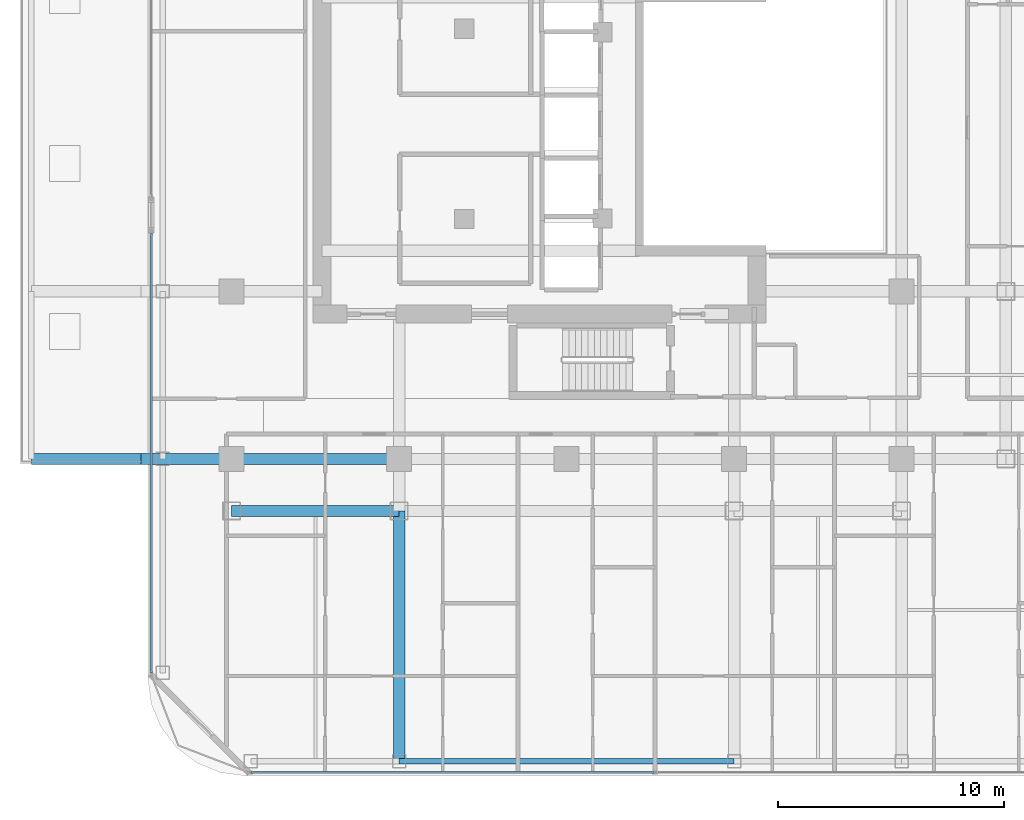
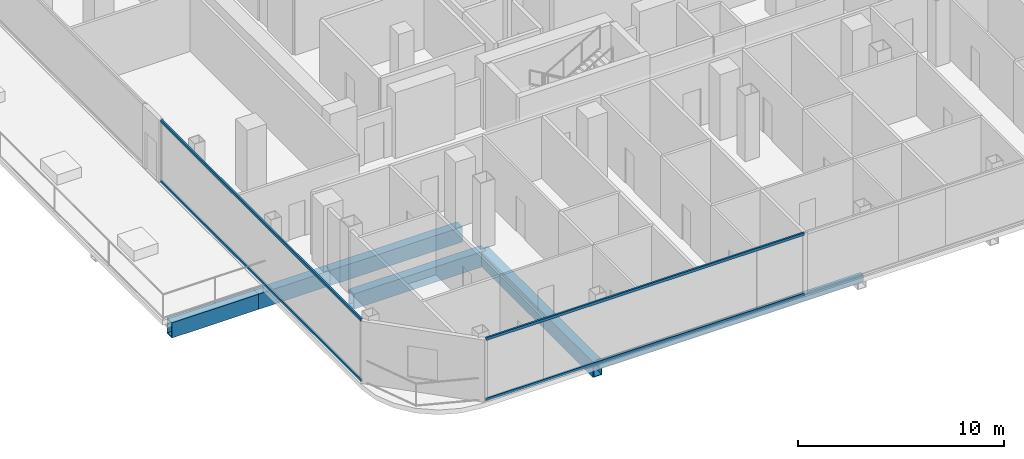
# One storey, part 3 of 26: 6 beams, 4 members, 2 elements without a shape of their own.
"""IFC4 building model written with IfcOpenShell, lengths in metres."""

from ifc_helpers import new_model, si_unit, direction, frame, origin, origin_2d, place, context, subcontext, project, spatial, hollow_rectangle, extrude, material, layer, layer_set, material_profile, profile_set, type_object, element, aggregate, save


model = new_model("IFC4")

# Units and contexts
model_context = context("Model", 3, precision=1e-05, world=origin(), true_north=direction((0.0, 1.0)))
body_context = subcontext(model_context, "Body", "Model", "MODEL_VIEW")
ifc_project = project(units=[si_unit("LENGTHUNIT", "METRE"), si_unit("AREAUNIT", "SQUARE_METRE"), si_unit("VOLUMEUNIT", "CUBIC_METRE"), si_unit("PLANEANGLEUNIT", "RADIAN"), si_unit("MASSUNIT", "GRAM", prefix="KILO")], contexts=[model_context])

# Site, building, storey
site_placement = place(None, origin())
site = spatial("IfcSite", under=ifc_project, at=site_placement, CompositionType="ELEMENT")
building_placement = place(site_placement, origin())
building = spatial("IfcBuilding", under=site, at=building_placement, Name="Khorvyn Point Tower", CompositionType="ELEMENT")
storey_placement = place(building_placement, frame((0.0, 0.0, 219.60009765625)))
storey = spatial("IfcBuildingStorey", under=building, at=storey_placement, Name="L54", CompositionType="ELEMENT", Elevation=219.60009765625)

# Curtain wall, members
ifc_material_1 = material(Name="Anodised aluminium 6063-T6 and laminated Low-E glass", Category="aluminium")
ifc_layer = layer(ifc_material_1, 0.18994140625)
ifc_layer_set = layer_set([ifc_layer], Name="Stick-Built Acoustic Curtain Wall CW-SYS-03")
curtain_wall_type = type_object("IfcCurtainWallType", Name="Stick-Built Acoustic Curtain Wall CW-SYS-03", PredefinedType="NOTDEFINED", material=ifc_layer_set)
curtain_wall_1_placement = place(storey_placement, origin())
curtain_wall_1 = element("IfcCurtainWall", 1, at=curtain_wall_1_placement, inside=storey, type_object=curtain_wall_type, Name="Curtain Wall", PredefinedType="NOTDEFINED")
ifc_material_2 = material(Name="Anodised aluminium 6063-T6", Category="aluminium")
ifc_material_profile_1 = material_profile(ifc_material_2, hollow_rectangle(XDim=0.10009765625, YDim=0.159912109375, WallThickness=0.00439453125, at=origin_2d()))
ifc_profile_set_1 = profile_set([ifc_material_profile_1], Name="Anodised aluminium 6063-T6 ALU-TRN-100x160")
member_type = type_object("IfcMemberType", Name="Anodised Aluminium 6063-T6 Transom ALU-TRN-100x160", PredefinedType="USERDEFINED", material=ifc_profile_set_1)
member_1_placement = place(storey_placement, frame((3.85009765625, -28.64990234375, 0.0498046875), z_axis=(-1.0, 0.0, 0.0), x_axis=(0.0, -1.0, 0.0)))
member_1 = element("IfcMember", 2, at=member_1_placement, type_object=member_type, Name="Transom", ObjectType="TRANSOM", PredefinedType="USERDEFINED", context=body_context, shape_type="SweptSolid", body=[
    extrude(hollow_rectangle(XDim=0.10009765625, YDim=0.159912109375, WallThickness=0.00439453125, at=origin_2d()), origin(), (0.0, 0.0, 1.0), 17.800048828125),
])
member_2_placement = place(storey_placement, frame((3.85009765625, -28.64990234375, 3.6298828125), z_axis=(-1.0, 0.0, 0.0), x_axis=(0.0, -1.0, 0.0)))
member_2 = element("IfcMember", 3, at=member_2_placement, type_object=member_type, Name="Transom", ObjectType="TRANSOM", PredefinedType="USERDEFINED", context=body_context, shape_type="SweptSolid", body=[
    extrude(hollow_rectangle(XDim=0.10009765625, YDim=0.159912109375, WallThickness=0.00439453125, at=origin_2d()), origin(), (0.0, 0.0, 1.0), 17.800048828125),
])
aggregate(curtain_wall_1, [member_1, member_2])

curtain_wall_2_placement = place(storey_placement, origin())
curtain_wall_2 = element("IfcCurtainWall", 4, at=curtain_wall_2_placement, inside=storey, type_object=curtain_wall_type, Name="Curtain Wall", PredefinedType="NOTDEFINED")
member_3_placement = place(storey_placement, frame((-18.35009765625, -24.25, 0.0498046875), z_axis=(0.0, 1.0, 0.0), x_axis=(-1.0, 0.0, 0.0)))
member_3 = element("IfcMember", 5, at=member_3_placement, type_object=member_type, Name="Transom", ObjectType="TRANSOM", PredefinedType="USERDEFINED", context=body_context, shape_type="SweptSolid", body=[
    extrude(hollow_rectangle(XDim=0.10009765625, YDim=0.159912109375, WallThickness=0.00439453125, at=origin_2d()), origin(), (0.0, 0.0, 1.0), 19.39990234375),
])
member_4_placement = place(storey_placement, frame((-18.35009765625, -24.25, 3.6298828125), z_axis=(0.0, 1.0, 0.0), x_axis=(-1.0, 0.0, 0.0)))
member_4 = element("IfcMember", 6, at=member_4_placement, type_object=member_type, Name="Transom", ObjectType="TRANSOM", PredefinedType="USERDEFINED", context=body_context, shape_type="SweptSolid", body=[
    extrude(hollow_rectangle(XDim=0.10009765625, YDim=0.159912109375, WallThickness=0.00439453125, at=origin_2d()), origin(), (0.0, 0.0, 1.0), 19.39990234375),
])
aggregate(curtain_wall_2, [member_3, member_4])

# Beams
ifc_material_3 = material(Name="Steel S355", Category="steel")
ifc_material_profile_2 = material_profile(ifc_material_3, hollow_rectangle(XDim=0.25, YDim=0.39990234375, WallThickness=0.01611328125, at=origin_2d()))
ifc_profile_set_2 = profile_set([ifc_material_profile_2], Name="Steel S355 RHS400x250x16")
beam_type_1 = type_object("IfcBeamType", Name="Steel S355 Spandrel RHS400x250x16", PredefinedType="SPANDREL", material=ifc_profile_set_2)
beam_1_placement = place(storey_placement, frame((-7.39990234375, -28.14990234375, -0.47998046875), z_axis=(1.0, 0.0, 0.0), x_axis=(0.0, 1.0, 0.0)))
element("IfcBeam", 7, at=beam_1_placement, inside=storey, type_object=beam_type_1, Name="Beam", PredefinedType="SPANDREL", context=body_context, shape_type="SweptSolid", body=[
    extrude(hollow_rectangle(XDim=0.25, YDim=0.39990234375, WallThickness=0.01611328125, at=origin_2d()), origin(), (0.0, 0.0, 1.0), 14.7998046875),
])
ifc_material_4 = material(Name="Steel S450", Category="steel")
ifc_material_profile_3 = material_profile(ifc_material_4, hollow_rectangle(XDim=0.5, YDim=0.89990234375, WallThickness=0.0400390625, at=origin_2d()))
ifc_profile_set_3 = profile_set([ifc_material_profile_3], Name="Steel S450 BOX900x500x40")
beam_type_2 = type_object("IfcBeamType", Name="Steel S450 Beam BOX900x500x40", PredefinedType="BEAM", material=ifc_profile_set_3)
beam_2_placement = place(storey_placement, frame((-23.64990234375, -14.800048828125, -0.72998046875), z_axis=(1.0, 0.0, 0.0), x_axis=(0.0, 1.0, 0.0)))
element("IfcBeam", 8, at=beam_2_placement, inside=storey, type_object=beam_type_2, Name="L54 Radial Transfer Girder", PredefinedType="BEAM", context=body_context, shape_type="SweptSolid", body=[
    extrude(hollow_rectangle(XDim=0.5, YDim=0.89990234375, WallThickness=0.0400390625, at=origin_2d()), origin(), (0.0, 0.0, 1.0), 4.849853515625),
])
beam_3_placement = place(storey_placement, frame((-18.800048828125, -14.800048828125, -0.72998046875), z_axis=(1.0, 0.0, 0.0), x_axis=(0.0, 1.0, 0.0)))
element("IfcBeam", 9, at=beam_3_placement, inside=storey, type_object=beam_type_2, Name="L54 Radial Transfer Girder", PredefinedType="BEAM", context=body_context, shape_type="SweptSolid", body=[
    extrude(hollow_rectangle(XDim=0.5, YDim=0.89990234375, WallThickness=0.0400390625, at=origin_2d()), origin(), (0.0, 0.0, 1.0), 4.0),
])
for number, where, z_axis, x_axis, name in (
    (10, (-14.800048828125, -14.800048828125, -0.72998046875), (1.0, 0.0, 0.0), (0.0, 1.0, 0.0), "L54 Radial Transfer Girder"),
    (11, (-14.800048828125, -17.10009765625, -0.72998046875), (1.0, 0.0, 0.0), (0.0, 1.0, 0.0), "Beam"),
):
    element("IfcBeam", number, at=place(storey_placement, frame(where, z_axis=z_axis, x_axis=x_axis)), inside=storey, type_object=beam_type_2, Name=name, PredefinedType="BEAM", context=body_context, shape_type="SweptSolid", body=[
        extrude(hollow_rectangle(XDim=0.5, YDim=0.89990234375, WallThickness=0.0400390625, at=origin_2d()), origin(), (0.0, 0.0, 1.0), 7.400146484375),
    ])
beam_4_placement = place(storey_placement, frame((-7.39990234375, -28.14990234375, -0.72998046875), z_axis=(0.0, 1.0, 0.0), x_axis=(-1.0, 0.0, 0.0)))
element("IfcBeam", 12, at=beam_4_placement, inside=storey, type_object=beam_type_2, Name="Beam", PredefinedType="BEAM", context=body_context, shape_type="SweptSolid", body=[
    extrude(hollow_rectangle(XDim=0.5, YDim=0.89990234375, WallThickness=0.0400390625, at=origin_2d()), origin(), (0.0, 0.0, 1.0), 11.0498046875),
])

save(model, "model.ifc")
